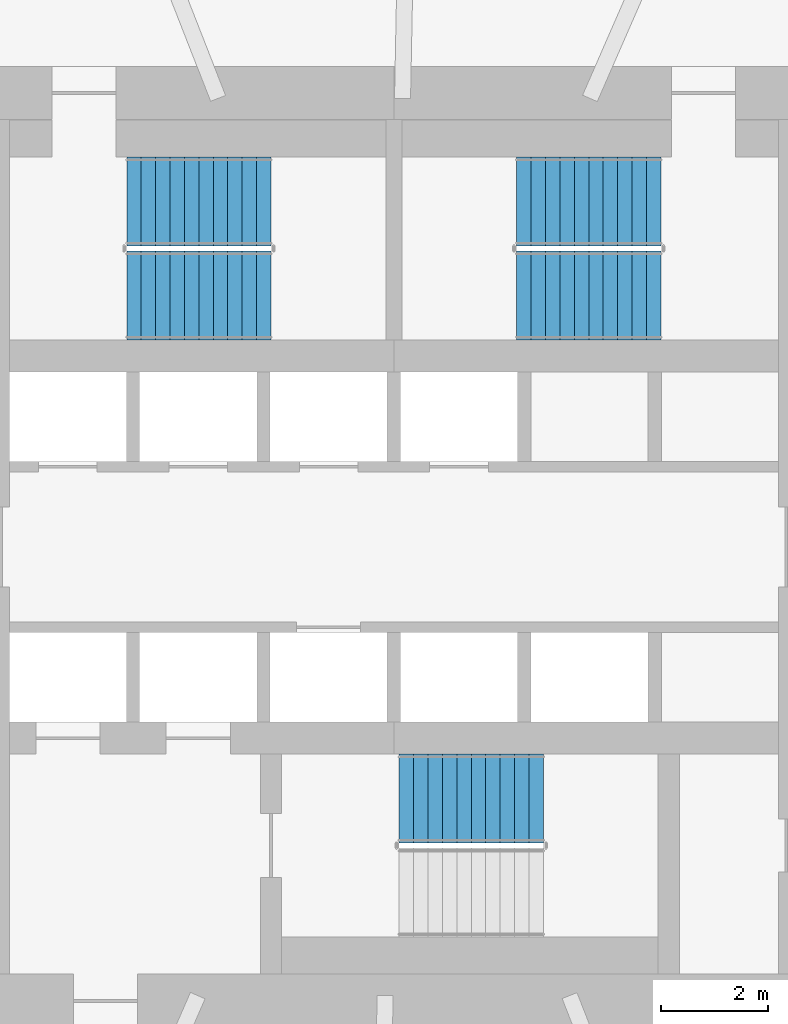
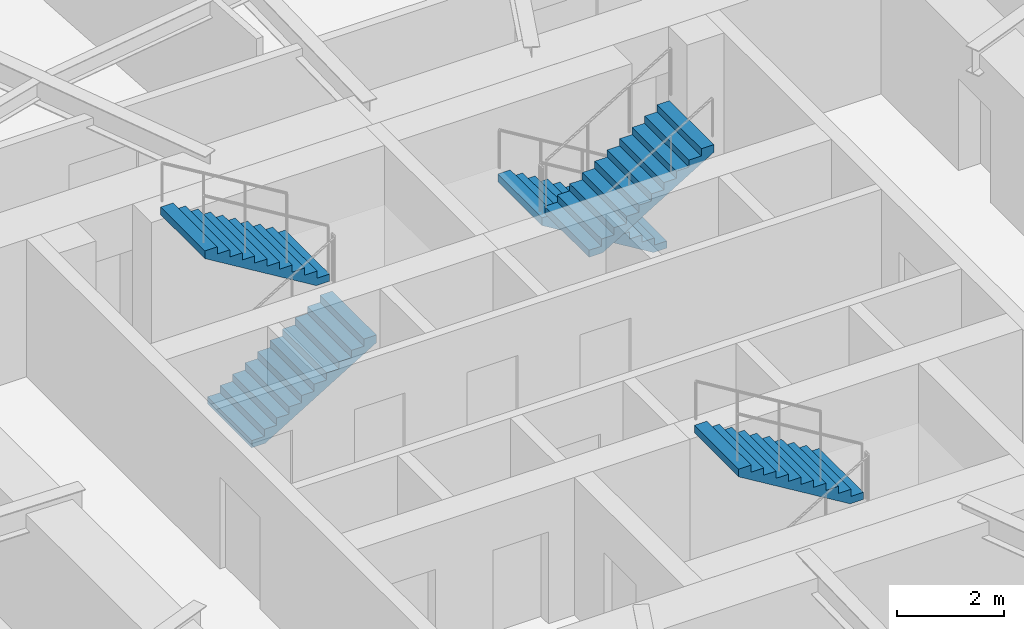
# One storey, part 11 of 14: 5 stair flights, 3 elements without a shape of their own.
"""IFC4 building model written with IfcOpenShell, lengths in metres."""

import ifcopenshell
import ifcopenshell.guid

model = None  # the IFC model being written
_history = None  # IfcOwnerHistory: only IFC2X3 demands one
_inside = {}  # id of a spatial element -> (the spatial element, [elements in it])
_under = {}  # id of a project, library or spatial element -> (it, [spatial elements below it])
_declared = {}  # id of a project -> (the project, [libraries it declares])
_typed = {}  # id of a type object -> (the type object, [elements of that type])
_made_of = {}  # id of a material, layer set ... -> (it, [elements and type objects made of it])


def new_model(schema):
    """Start an empty IFC model of exactly this schema.

    Asked for "IFC4X3", IfcOpenShell would pick the latest addendum, in which some entities
    have other attributes; the version numbers below select the first issue.
    IFC2X3 requires an IfcOwnerHistory on every rooted entity: one is made here for all.
    """
    global model, _history
    if schema == "IFC4X3":
        model = ifcopenshell.file(schema_version=(4, 3, 0, 0))
    else:
        model = ifcopenshell.file(schema=schema)
    _inside.clear()
    _under.clear()
    _declared.clear()
    _typed.clear()
    _made_of.clear()
    _history = None
    if model.schema == "IFC2X3":
        org = make("IfcOrganization", Name="unknown")
        user = make(
            "IfcPersonAndOrganization",
            ThePerson=make("IfcPerson", FamilyName="unknown"),
            TheOrganization=org,
        )
        app = make(
            "IfcApplication",
            ApplicationDeveloper=org,
            Version="unknown",
            ApplicationFullName="unknown",
            ApplicationIdentifier="unknown",
        )
        _history = make(
            "IfcOwnerHistory",
            OwningUser=user,
            OwningApplication=app,
            ChangeAction="ADDED",
            CreationDate=0,
        )
    return model


def make(cls, **values):
    """One entity of the class cls with the attributes given. An attribute that is None is left unset."""
    return model.create_entity(
        cls, **{name: value for name, value in values.items() if value is not None}
    )


def rooted(cls, **values):
    """An entity with a GlobalId (a new one), such as an element, a storey or a relation."""
    return make(cls, GlobalId=ifcopenshell.guid.new(), OwnerHistory=_history, **values)


def si_unit(unit_type, name, prefix=None):
    """IfcSIUnit, for example si_unit("LENGTHUNIT", "METRE", prefix="MILLI")."""
    return make("IfcSIUnit", UnitType=unit_type, Prefix=prefix, Name=name)


def assignment(units):
    """IfcUnitAssignment: the units of a project."""
    return None if units is None else make("IfcUnitAssignment", Units=units)


def point(xyz):
    """IfcCartesianPoint."""
    return None if xyz is None else make("IfcCartesianPoint", Coordinates=xyz)


def direction(xyz):
    """IfcDirection."""
    return None if xyz is None else make("IfcDirection", DirectionRatios=xyz)


def frame(location, z_axis=None, x_axis=None):
    """IfcAxis2Placement3D, a coordinate frame: its origin and axes. An axis left out is left unset."""
    return make(
        "IfcAxis2Placement3D",
        Location=point(location),
        Axis=direction(z_axis),
        RefDirection=direction(x_axis),
    )


def origin():
    """The frame at (0, 0, 0) with its axes left unset."""
    return frame((0.0, 0.0, 0.0))


def place(relative_to, where):
    """IfcLocalPlacement: puts the frame where relative to a parent placement (None: the world)."""
    return make(
        "IfcLocalPlacement", PlacementRelTo=relative_to, RelativePlacement=where
    )


def context(
    kind, dimensions, precision=None, world=None, true_north=None, identifier=None
):
    """IfcGeometricRepresentationContext, for example the 3D "Model" context."""
    return make(
        "IfcGeometricRepresentationContext",
        ContextIdentifier=identifier,
        ContextType=kind,
        CoordinateSpaceDimension=dimensions,
        Precision=precision,
        WorldCoordinateSystem=world,
        TrueNorth=true_north,
    )


def subcontext(parent, identifier, kind, view, scale=None):
    """IfcGeometricRepresentationSubContext, for example "Body" below "Model"."""
    return make(
        "IfcGeometricRepresentationSubContext",
        ContextIdentifier=identifier,
        ContextType=kind,
        ParentContext=parent,
        TargetScale=scale,
        TargetView=view,
    )


def project(units=None, contexts=None):
    """IfcProject with its units and contexts."""
    return rooted(
        "IfcProject",
        Name="project",
        RepresentationContexts=contexts,
        UnitsInContext=assignment(units),
    )


def spatial(cls, under=None, at=None, **own):
    """A site, building, storey or space (cls), placed at a placement, below another one or the project."""
    s = rooted(cls, ObjectPlacement=at, **own)
    if under is not None:
        _under.setdefault(under.id(), (under, []))[1].append(s)
    return s


def polyline(points):
    """IfcPolyline through the points."""
    return make("IfcPolyline", Points=[point(p) for p in points])


def outline(outer, holes=None, kind="AREA"):
    """IfcArbitraryClosedProfileDef: a profile drawn as a closed curve; with holes, ...WithVoids."""
    if holes is None:
        return make("IfcArbitraryClosedProfileDef", ProfileType=kind, OuterCurve=outer)
    return make(
        "IfcArbitraryProfileDefWithVoids",
        ProfileType=kind,
        OuterCurve=outer,
        InnerCurves=holes,
    )


def extrude(swept, where, along, depth):
    """IfcExtrudedAreaSolid: the profile swept, set in the frame where, extruded along a direction by depth."""
    return make(
        "IfcExtrudedAreaSolid",
        SweptArea=swept,
        Position=where,
        ExtrudedDirection=direction(along),
        Depth=depth,
    )


def shape(context_of_items, identifier, shape_type, items):
    """IfcShapeRepresentation: the items that make up one representation, for example the "Body"."""
    return make(
        "IfcShapeRepresentation",
        ContextOfItems=context_of_items,
        RepresentationIdentifier=identifier,
        RepresentationType=shape_type,
        Items=items,
    )


def material(Name=None, Category=None):
    """IfcMaterial."""
    return make("IfcMaterial", Name=Name, Category=Category)


def made_of(thing, what):
    """Note that an element or type object is made of a material, layer set ...; save() writes the relation."""
    if what is not None:
        _made_of.setdefault(what.id(), (what, []))[1].append(thing)
    return thing


def type_object(cls, material=None, **own):
    """A type object (cls), such as IfcWallType, which elements share."""
    return made_of(rooted(cls, **own), material)


def element(
    cls,
    number,
    at=None,
    inside=None,
    cuts=None,
    type_object=None,
    material=None,
    context=None,
    identifier="Body",
    shape_type=None,
    held_by="IfcProductDefinitionShape",
    body=None,
    shapes=None,
    **own,
):
    """One element of the class cls, such as IfcWall. Its Tag is "e" and its number.

    at: its placement. inside: the storey or other place that contains it. cuts: it is an
    opening in that element (IfcRelVoidsElement). A single representation is given by context,
    identifier, shape_type and body (its items); several are given by shapes. held_by: the class
    of the entity that holds the representations. save() writes the other relations.
    """
    e = rooted(cls, Tag="e%d" % number, ObjectPlacement=at, **own)
    if body is not None:
        shapes = [shape(context, identifier, shape_type, body)]
    if shapes is not None:
        e.Representation = make(held_by, Representations=shapes)
    if inside is not None:
        _inside.setdefault(inside.id(), (inside, []))[1].append(e)
    if cuts is not None:
        rooted(
            "IfcRelVoidsElement", RelatingBuildingElement=cuts, RelatedOpeningElement=e
        )
    if type_object is not None:
        _typed.setdefault(type_object.id(), (type_object, []))[1].append(e)
    return made_of(e, material)


def aggregate(whole, parts):
    """IfcRelAggregates: a whole, such as a stair, and the parts it consists of."""
    return rooted("IfcRelAggregates", RelatingObject=whole, RelatedObjects=parts)


def save(model, path):
    """Write the relations noted so far, then the file.

    IfcRelAggregates (storeys below a building ...), IfcRelContainedInSpatialStructure (elements
    in a storey), IfcRelDefinesByType, IfcRelAssociatesMaterial and IfcRelDeclares: one each for
    every whole, place, type object, material and project.
    """
    for whole, parts in _under.values():
        aggregate(whole, parts)
    for where, things in _inside.values():
        rooted(
            "IfcRelContainedInSpatialStructure",
            RelatedElements=things,
            RelatingStructure=where,
        )
    for kind, things in _typed.values():
        rooted("IfcRelDefinesByType", RelatedObjects=things, RelatingType=kind)
    for what, things in _made_of.values():
        rooted("IfcRelAssociatesMaterial", RelatedObjects=things, RelatingMaterial=what)
    for by, libraries in _declared.values():
        rooted("IfcRelDeclares", RelatingContext=by, RelatedDefinitions=libraries)
    model.write(path)


model = new_model("IFC4")

# Units and contexts
model_context = context("Model", 3, precision=1e-05, world=origin(), true_north=direction((0.0, 1.0)))
body_context = subcontext(model_context, "Body", "Model", "MODEL_VIEW")
ifc_project = project(units=[si_unit("LENGTHUNIT", "METRE"), si_unit("AREAUNIT", "SQUARE_METRE"), si_unit("VOLUMEUNIT", "CUBIC_METRE"), si_unit("PLANEANGLEUNIT", "RADIAN"), si_unit("MASSUNIT", "GRAM", prefix="KILO")], contexts=[model_context])

# Site, building, storey
site_placement = place(None, origin())
site = spatial("IfcSite", under=ifc_project, at=site_placement, CompositionType="ELEMENT")
building_placement = place(site_placement, origin())
building = spatial("IfcBuilding", under=site, at=building_placement, Name="Vermilion Reach Broadcast Tower", CompositionType="ELEMENT")
storey_placement = place(building_placement, frame((0.0, 0.0, 186.60009765625)))
storey = spatial("IfcBuildingStorey", under=building, at=storey_placement, Name="L45", CompositionType="ELEMENT", Elevation=186.60009765625)

# Stair, stair flights
ifc_material_1 = material(Name="Concrete C40", Category="concrete")
stair_type = type_object("IfcStairType", Name="Exit stair RC 22 risers 164 mm", PredefinedType="HALF_TURN_STAIR", material=ifc_material_1)
placement = place(storey_placement, origin())
stair_1 = element("IfcStair", 1, at=placement, inside=storey, type_object=stair_type, Name="L45 Exit stair ST1", PredefinedType="HALF_TURN_STAIR")
ifc_material_2 = material(Name="Concrete C40", Category="concrete")
stair_flight_type = type_object("IfcStairFlightType", Name="Exit stair flight RC 11 risers", PredefinedType="STRAIGHT", material=ifc_material_2)
stair_flight_1_placement = place(storey_placement, frame((-11.0, 4.7099609375, 0.0), z_axis=(0.0, 0.0, 1.0), x_axis=(1.0, 0.0, 0.0)))
stair_flight_1 = element("IfcStairFlight", 2, at=stair_flight_1_placement, type_object=stair_flight_type, Name="ST1 flight 1", NumberOfRisers=11, NumberOfTreads=10, PredefinedType="STRAIGHT", RiserHeight=0.163636364, TreadLength=0.27, context=body_context, shape_type="SweptSolid", body=[
    extrude(outline(polyline([(0.0, 0.0), (0.0, 0.16357421875), (0.27001953125, 0.16357421875), (0.27001953125, 0.327392578125), (0.5400390625, 0.327392578125), (0.5400390625, 0.490966796875), (0.81005859375, 0.490966796875), (0.81005859375, 0.654541015625), (1.080078125, 0.654541015625), (1.080078125, 0.818115234375), (1.35009765625, 0.818115234375), (1.35009765625, 0.98193359375), (1.6201171875, 0.98193359375), (1.6201171875, 1.1455078125), (1.889892578125, 1.1455078125), (1.889892578125, 1.30908203125), (2.159912109375, 1.30908203125), (2.159912109375, 1.47265625), (2.429931640625, 1.47265625), (2.429931640625, 1.636474609375), (2.699951171875, 1.636474609375), (2.699951171875, 1.800048828125), (2.699951171875, 1.461181640625), (0.289306640625, 0.0), (0.0, 0.0)])), frame((0.0, 0.830078125, 0.0), z_axis=(0.0, -1.0, 0.0), x_axis=(1.0, 0.0, 0.0)), (0.0, 0.0, 1.0), 1.659912109375),
])
stair_flight_2_placement = place(storey_placement, frame((-8.300048828125, 6.469970703125, 1.7998046875), z_axis=(0.0, 0.0, 1.0), x_axis=(-1.0, 0.0, 0.0)))
stair_flight_2 = element("IfcStairFlight", 3, at=stair_flight_2_placement, type_object=stair_flight_type, Name="ST1 flight 2", NumberOfRisers=11, NumberOfTreads=10, PredefinedType="STRAIGHT", RiserHeight=0.163636364, TreadLength=0.27, context=body_context, shape_type="SweptSolid", body=[
    extrude(outline(polyline([(0.0, 0.0), (0.0, 0.16357421875), (0.27001953125, 0.16357421875), (0.27001953125, 0.327392578125), (0.5400390625, 0.327392578125), (0.5400390625, 0.490966796875), (0.81005859375, 0.490966796875), (0.81005859375, 0.654541015625), (1.080078125, 0.654541015625), (1.080078125, 0.818115234375), (1.35009765625, 0.818115234375), (1.35009765625, 0.98193359375), (1.6201171875, 0.98193359375), (1.6201171875, 1.1455078125), (1.889892578125, 1.1455078125), (1.889892578125, 1.30908203125), (2.159912109375, 1.30908203125), (2.159912109375, 1.47265625), (2.429931640625, 1.47265625), (2.429931640625, 1.636474609375), (2.699951171875, 1.636474609375), (2.699951171875, 1.800048828125), (2.699951171875, 1.461181640625), (0.289306640625, 0.0), (0.0, 0.0)])), frame((0.0, 0.830078125, 0.0), z_axis=(0.0, -1.0, 0.0), x_axis=(1.0, 0.0, 0.0)), (0.0, 0.0, 1.0), 1.659912109375),
])
aggregate(stair_1, [stair_flight_1, stair_flight_2])

stair_2 = element("IfcStair", 4, at=placement, inside=storey, type_object=stair_type, Name="L45 Exit stair ST2", PredefinedType="HALF_TURN_STAIR")
stair_flight_3_placement = place(storey_placement, frame((-1.0, 6.469970703125, 0.0), z_axis=(0.0, 0.0, 1.0), x_axis=(-1.0, 0.0, 0.0)))
stair_flight_3 = element("IfcStairFlight", 5, at=stair_flight_3_placement, type_object=stair_flight_type, Name="ST2 flight 1", NumberOfRisers=11, NumberOfTreads=10, PredefinedType="STRAIGHT", RiserHeight=0.163636364, TreadLength=0.27, context=body_context, shape_type="SweptSolid", body=[
    extrude(outline(polyline([(0.0, 0.0), (0.0, 0.16357421875), (0.27001953125, 0.16357421875), (0.27001953125, 0.327392578125), (0.5400390625, 0.327392578125), (0.5400390625, 0.490966796875), (0.81005859375, 0.490966796875), (0.81005859375, 0.654541015625), (1.080078125, 0.654541015625), (1.080078125, 0.818115234375), (1.35009765625, 0.818115234375), (1.35009765625, 0.98193359375), (1.6201171875, 0.98193359375), (1.6201171875, 1.1455078125), (1.889892578125, 1.1455078125), (1.889892578125, 1.30908203125), (2.159912109375, 1.30908203125), (2.159912109375, 1.47265625), (2.429931640625, 1.47265625), (2.429931640625, 1.636474609375), (2.699951171875, 1.636474609375), (2.699951171875, 1.800048828125), (2.699951171875, 1.461181640625), (0.289306640625, 0.0), (0.0, 0.0)])), frame((0.0, 0.830078125, 0.0), z_axis=(0.0, -1.0, 0.0), x_axis=(1.0, 0.0, 0.0)), (0.0, 0.0, 1.0), 1.659912109375),
])
stair_flight_4_placement = place(storey_placement, frame((-3.699951171875, 4.7099609375, 1.7998046875), z_axis=(0.0, 0.0, 1.0), x_axis=(1.0, 0.0, 0.0)))
stair_flight_4 = element("IfcStairFlight", 6, at=stair_flight_4_placement, type_object=stair_flight_type, Name="ST2 flight 2", NumberOfRisers=11, NumberOfTreads=10, PredefinedType="STRAIGHT", RiserHeight=0.163636364, TreadLength=0.27, context=body_context, shape_type="SweptSolid", body=[
    extrude(outline(polyline([(0.0, 0.0), (0.0, 0.16357421875), (0.27001953125, 0.16357421875), (0.27001953125, 0.327392578125), (0.5400390625, 0.327392578125), (0.5400390625, 0.490966796875), (0.81005859375, 0.490966796875), (0.81005859375, 0.654541015625), (1.080078125, 0.654541015625), (1.080078125, 0.818115234375), (1.35009765625, 0.818115234375), (1.35009765625, 0.98193359375), (1.6201171875, 0.98193359375), (1.6201171875, 1.1455078125), (1.889892578125, 1.1455078125), (1.889892578125, 1.30908203125), (2.159912109375, 1.30908203125), (2.159912109375, 1.47265625), (2.429931640625, 1.47265625), (2.429931640625, 1.636474609375), (2.699951171875, 1.636474609375), (2.699951171875, 1.800048828125), (2.699951171875, 1.461181640625), (0.289306640625, 0.0), (0.0, 0.0)])), frame((0.0, 0.830078125, 0.0), z_axis=(0.0, -1.0, 0.0), x_axis=(1.0, 0.0, 0.0)), (0.0, 0.0, 1.0), 1.659912109375),
])
aggregate(stair_2, [stair_flight_3, stair_flight_4])

# Stair, stair flight
stair_3 = element("IfcStair", 7, at=placement, inside=storey, type_object=stair_type, Name="L45 Exit stair ST3", PredefinedType="HALF_TURN_STAIR")
stair_flight_5_placement = place(storey_placement, frame((-3.199951171875, -4.7099609375, 1.7998046875), z_axis=(0.0, 0.0, 1.0), x_axis=(-1.0, 0.0, 0.0)))
stair_flight_5 = element("IfcStairFlight", 8, at=stair_flight_5_placement, type_object=stair_flight_type, Name="ST3 flight 2", NumberOfRisers=11, NumberOfTreads=10, PredefinedType="STRAIGHT", RiserHeight=0.163636364, TreadLength=0.27, context=body_context, shape_type="SweptSolid", body=[
    extrude(outline(polyline([(0.0, 0.0), (0.0, 0.16357421875), (0.27001953125, 0.16357421875), (0.27001953125, 0.327392578125), (0.5400390625, 0.327392578125), (0.5400390625, 0.490966796875), (0.81005859375, 0.490966796875), (0.81005859375, 0.654541015625), (1.080078125, 0.654541015625), (1.080078125, 0.818115234375), (1.35009765625, 0.818115234375), (1.35009765625, 0.98193359375), (1.6201171875, 0.98193359375), (1.6201171875, 1.1455078125), (1.889892578125, 1.1455078125), (1.889892578125, 1.30908203125), (2.159912109375, 1.30908203125), (2.159912109375, 1.47265625), (2.429931640625, 1.47265625), (2.429931640625, 1.636474609375), (2.699951171875, 1.636474609375), (2.699951171875, 1.800048828125), (2.699951171875, 1.461181640625), (0.289306640625, 0.0), (0.0, 0.0)])), frame((0.0, 0.830078125, 0.0), z_axis=(0.0, -1.0, 0.0), x_axis=(1.0, 0.0, 0.0)), (0.0, 0.0, 1.0), 1.659912109375),
])
aggregate(stair_3, [stair_flight_5])

save(model, "model.ifc")
